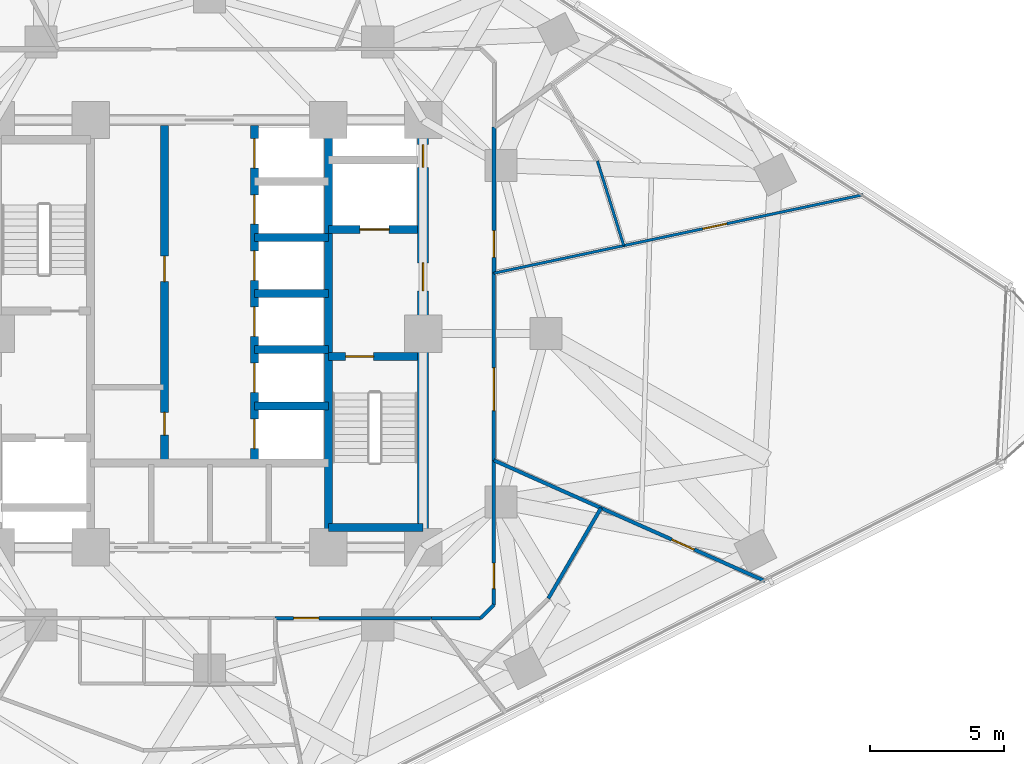
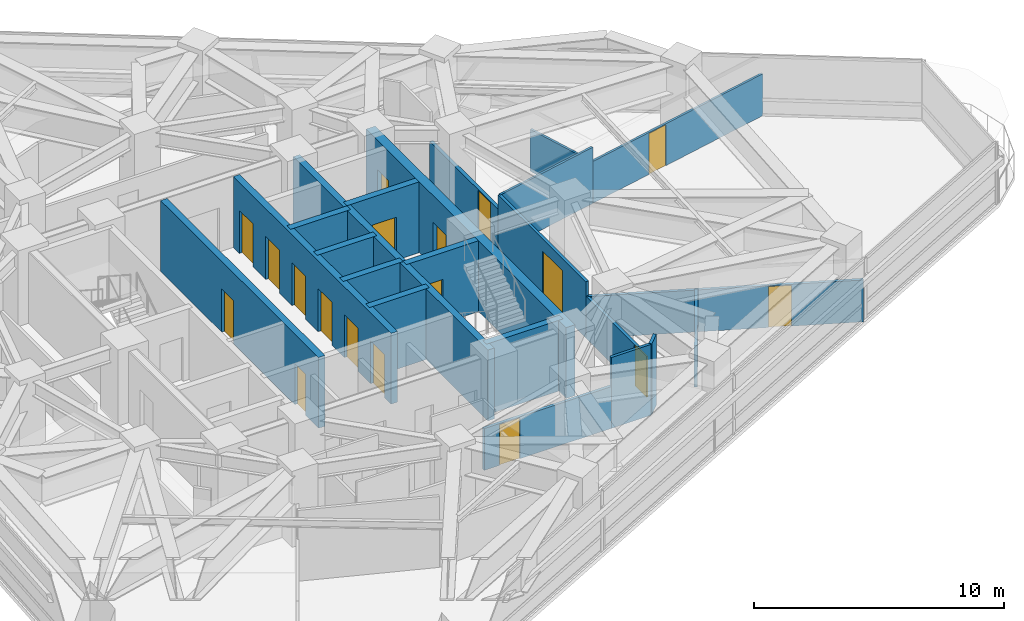
# One storey, part 10 of 15: 23 walls, 18 doors, 18 openings.
"""IFC4 building model written with IfcOpenShell, lengths in metres."""

from ifc_helpers import new_model, si_unit, direction, frame, frame_2d, origin, place, context, subcontext, project, spatial, rectangle, extrude, material, layer, layer_set, type_object, element, fill, save


model = new_model("IFC4")

# Units and contexts
model_context = context("Model", 3, precision=1e-05, world=origin(), true_north=direction((0.0, 1.0)))
body_context = subcontext(model_context, "Body", "Model", "MODEL_VIEW")
ifc_project = project(units=[si_unit("LENGTHUNIT", "METRE"), si_unit("AREAUNIT", "SQUARE_METRE"), si_unit("VOLUMEUNIT", "CUBIC_METRE"), si_unit("PLANEANGLEUNIT", "RADIAN"), si_unit("MASSUNIT", "GRAM", prefix="KILO")], contexts=[model_context])

# Site, building, storey
site_placement = place(None, origin())
site = spatial("IfcSite", under=ifc_project, at=site_placement, CompositionType="ELEMENT")
building_placement = place(site_placement, origin())
building = spatial("IfcBuilding", under=site, at=building_placement, Name="Terralouvre Media Tower", CompositionType="ELEMENT")
storey_placement = place(building_placement, frame((0.0, 0.0, 145.800048828125)))
storey = spatial("IfcBuildingStorey", under=building, at=storey_placement, Name="L37", CompositionType="ELEMENT", Elevation=145.800048828125)

# Wall
ifc_material_1 = material(Name="Concrete C50/60", Category="concrete")
ifc_layer_1 = layer(ifc_material_1, 0.300048828125, Name="Core Internal Shaft Wall CW-300")
ifc_layer_set_1 = layer_set([ifc_layer_1], Name="Concrete C50/60")
wall_type_1 = type_object("IfcWallType", Name="Core Internal Shaft Wall CW-300", PredefinedType="SHEAR", material=ifc_layer_set_1)
wall_1_placement = place(storey_placement, frame((4.449951171875, -7.7900390625, 0.0), z_axis=(0.0, 0.0, 1.0), x_axis=(0.0, 1.0, 0.0)))
element("IfcWall", 1, at=wall_1_placement, inside=storey, type_object=wall_type_1, Name="L37 Core Shaft Wall SPE", PredefinedType="SHEAR", context=body_context, shape_type="SweptSolid", body=[
    extrude(rectangle(XDim=15.580078125, YDim=0.300048828125, at=frame_2d((7.7900390625, 0.0))), origin(), (0.0, 0.0, 1.0), 3.4599609375),
])

# Wall, opening, door
wall_2_placement = place(storey_placement, frame((4.449951171875, -0.85009765625, 0.0), z_axis=(0.0, 0.0, 1.0), x_axis=(1.0, 0.0, 0.0)))
wall_2 = element("IfcWall", 2, at=wall_2_placement, inside=storey, type_object=wall_type_1, Name="L37 Core Shaft Wall ST2D", PredefinedType="SHEAR", context=body_context, shape_type="SweptSolid", body=[
    extrude(rectangle(XDim=3.340087890625, YDim=0.300048828125, at=frame_2d((1.669921875, 0.0))), origin(), (0.0, 0.0, 1.0), 3.4599609375),
])
opening_1_placement = place(wall_2_placement, frame((0.64990234375, 0.0, 0.0)))
opening_1 = element("IfcOpeningElement", 3, at=opening_1_placement, cuts=wall_2, Name="Opening FD-01-105X215", PredefinedType="OPENING", context=body_context, shape_type="SweptSolid", body=[
    extrude(rectangle(XDim=1.050048828125, YDim=2.14990234375, at=frame_2d((0.52490234375, 1.074951171875))), frame((0.0, 0.159912109375, 0.0), z_axis=(0.0, -1.0, 0.0), x_axis=(1.0, 0.0, 0.0)), (0.0, 0.0, 1.0), 0.320068359375),
])
ifc_material_2 = material(Name="Galvanised steel fire-resisting leaf", Category="steel")
door_type_1 = type_object("IfcDoorType", Name="Stair and Firefighting Lobby Fire Door FD-01 (1050x2150)", OperationType="NOTDEFINED", PredefinedType="DOOR", material=ifc_material_2)
door_1_placement = place(opening_1_placement, origin())
door_1 = element("IfcDoor", 4, at=door_1_placement, inside=storey, type_object=door_type_1, Name="L37 ST-02 Exit Stair Door", OperationType="SINGLE_SWING_RIGHT", OverallHeight=2.14990234375, OverallWidth=1.050048828125, PredefinedType="DOOR", context=body_context, shape_type="SweptSolid", body=[
    extrude(rectangle(XDim=1.050048828125, YDim=2.14990234375, at=frame_2d((0.52490234375, 1.074951171875))), frame((0.0, 0.02490234375, 0.0), z_axis=(0.0, -1.0, 0.0), x_axis=(1.0, 0.0, 0.0)), (0.0, 0.0, 1.0), 0.050048828125),
])
fill(opening_1, door_1)

# Wall
wall_3_placement = place(storey_placement, frame((4.449951171875, -7.260009765625, 0.0), z_axis=(0.0, 0.0, 1.0), x_axis=(1.0, 0.0, 0.0)))
element("IfcWall", 5, at=wall_3_placement, inside=storey, type_object=wall_type_1, Name="L37 Core Shaft Wall ST2F", PredefinedType="SHEAR", context=body_context, shape_type="SweptSolid", body=[
    extrude(rectangle(XDim=3.550048828125, YDim=0.300048828125, at=frame_2d((1.77490234375, 0.0))), origin(), (0.0, 0.0, 1.0), 3.4599609375),
])

# Wall, opening, door
wall_4_placement = place(storey_placement, frame((4.449951171875, 3.89990234375, 0.0), z_axis=(0.0, 0.0, 1.0), x_axis=(1.0, 0.0, 0.0)))
wall_4 = element("IfcWall", 6, at=wall_4_placement, inside=storey, type_object=wall_type_1, Name="L37 Core Shaft Wall FF2S", PredefinedType="SHEAR", context=body_context, shape_type="SweptSolid", body=[
    extrude(rectangle(XDim=3.340087890625, YDim=0.300048828125, at=frame_2d((1.669921875, 0.0))), origin(), (0.0, 0.0, 1.0), 3.4599609375),
])
opening_2_placement = place(wall_4_placement, frame((1.179931640625, 0.0, 0.0)))
opening_2 = element("IfcOpeningElement", 7, at=opening_2_placement, cuts=wall_4, Name="Opening LD-FF", PredefinedType="OPENING", context=body_context, shape_type="SweptSolid", body=[
    extrude(rectangle(XDim=1.10009765625, YDim=2.10009765625, at=frame_2d((0.550048828125, 1.050048828125))), frame((0.0, 0.159912109375, 0.0), z_axis=(0.0, -1.0, 0.0), x_axis=(1.0, 0.0, 0.0)), (0.0, 0.0, 1.0), 0.320068359375),
])
ifc_material_3 = material(Name="Stainless steel 316 handrail and balustrade", Category="steel")
door_type_2 = type_object("IfcDoorType", Name="Firefighting Lift Sliding Landing Door LD-FF", OperationType="SLIDING_TO_LEFT", PredefinedType="DOOR", material=ifc_material_3)
door_2_placement = place(opening_2_placement, origin())
door_2 = element("IfcDoor", 8, at=door_2_placement, inside=storey, type_object=door_type_2, Name="L37 Firefighting Lift FFL-02 Landing Door", OperationType="SLIDING_TO_LEFT", OverallHeight=2.10009765625, OverallWidth=1.10009765625, PredefinedType="DOOR", context=body_context, shape_type="SweptSolid", body=[
    extrude(rectangle(XDim=1.10009765625, YDim=2.10009765625, at=frame_2d((0.550048828125, 1.050048828125))), frame((0.0, 0.02490234375, 0.0), z_axis=(0.0, -1.0, 0.0), x_axis=(1.0, 0.0, 0.0)), (0.0, 0.0, 1.0), 0.050048828125),
])
fill(opening_2, door_2)

# Wall, openings, doors
wall_5_placement = place(storey_placement, frame((-1.679931640625, -4.85009765625, 0.0), z_axis=(0.0, 0.0, 1.0), x_axis=(0.0, 1.0, 0.0)))
wall_5 = element("IfcWall", 9, at=wall_5_placement, inside=storey, type_object=wall_type_1, Name="L37 Core Shaft Wall LBW", PredefinedType="SHEAR", context=body_context, shape_type="SweptSolid", body=[
    extrude(rectangle(XDim=12.64013671875, YDim=0.300048828125, at=frame_2d((6.320068359375, 0.0))), origin(), (0.0, 0.0, 1.0), 3.4599609375),
])
opening_3_placement = place(wall_5_placement, frame((1.050048828125, 0.0, 0.0)))
opening_3 = element("IfcOpeningElement", 10, at=opening_3_placement, cuts=wall_5, Name="Opening TD-R1", PredefinedType="OPENING", context=body_context, shape_type="SweptSolid", body=[
    extrude(rectangle(XDim=0.85009765625, YDim=2.02001953125, at=frame_2d((0.425048828125, 1.010009765625))), frame((0.0, 0.159912109375, 0.0), z_axis=(0.0, -1.0, 0.0), x_axis=(1.0, 0.0, 0.0)), (0.0, 0.0, 1.0), 0.320068359375),
])
opening_4_placement = place(wall_5_placement, frame((6.800048828125, 0.0, 0.0)))
opening_4 = element("IfcOpeningElement", 11, at=opening_4_placement, cuts=wall_5, Name="Opening FD-02-95X210", PredefinedType="OPENING", context=body_context, shape_type="SweptSolid", body=[
    extrude(rectangle(XDim=0.949951171875, YDim=2.10009765625, at=frame_2d((0.47509765625, 1.050048828125))), frame((0.0, 0.159912109375, 0.0), z_axis=(0.0, -1.0, 0.0), x_axis=(1.0, 0.0, 0.0)), (0.0, 0.0, 1.0), 0.320068359375),
])
ifc_material_4 = material(Name="Galvanised steel fire-resisting leaf", Category="steel")
door_type_3 = type_object("IfcDoorType", Name="Plant and Riser Fire Door FD-02 (950x2100)", OperationType="NOTDEFINED", PredefinedType="DOOR", material=ifc_material_4)
door_3_placement = place(opening_4_placement, origin())
door_3 = element("IfcDoor", 12, at=door_3_placement, inside=storey, type_object=door_type_3, Name="L37 Core Patch Rack Plant Door", OperationType="SINGLE_SWING_RIGHT", OverallHeight=2.10009765625, OverallWidth=0.949951171875, PredefinedType="DOOR", context=body_context, shape_type="SweptSolid", body=[
    extrude(rectangle(XDim=0.949951171875, YDim=2.10009765625, at=frame_2d((0.47509765625, 1.050048828125))), frame((0.0, 0.02490234375, 0.0), z_axis=(0.0, -1.0, 0.0), x_axis=(1.0, 0.0, 0.0)), (0.0, 0.0, 1.0), 0.050048828125),
])
fill(opening_4, door_3)
ifc_material_5 = material(Name="Galvanised steel fire-resisting leaf", Category="steel")
door_type_4 = type_object("IfcDoorType", Name="Riser Inspection Access Trapdoor TD-R1", OperationType="NOTDEFINED", PredefinedType="TRAPDOOR", material=ifc_material_5)
door_4_placement = place(opening_3_placement, origin())
door_4 = element("IfcDoor", 13, at=door_4_placement, inside=storey, type_object=door_type_4, Name="L37 Core Cleaners Store Door", OperationType="SINGLE_SWING_LEFT", OverallHeight=2.02001953125, OverallWidth=0.85009765625, PredefinedType="TRAPDOOR", context=body_context, shape_type="SweptSolid", body=[
    extrude(rectangle(XDim=0.85009765625, YDim=2.02001953125, at=frame_2d((0.425048828125, 1.010009765625))), frame((0.0, 0.02490234375, 0.0), z_axis=(0.0, -1.0, 0.0), x_axis=(1.0, 0.0, 0.0)), (0.0, 0.0, 1.0), 0.050048828125),
])
fill(opening_3, door_4)

wall_6_placement = place(storey_placement, frame((1.679931640625, -4.85009765625, 0.0), z_axis=(0.0, 0.0, 1.0), x_axis=(0.0, 1.0, 0.0)))
wall_6 = element("IfcWall", 14, at=wall_6_placement, inside=storey, type_object=wall_type_1, Name="L37 Core Shaft Wall LBE", PredefinedType="SHEAR", context=body_context, shape_type="SweptSolid", body=[
    extrude(rectangle(XDim=12.64013671875, YDim=0.300048828125, at=frame_2d((6.320068359375, 0.0))), origin(), (0.0, 0.0, 1.0), 3.4599609375),
])
opening_5_placement = place(wall_6_placement, frame((0.550048828125, 0.0, 0.0)))
opening_5 = element("IfcOpeningElement", 15, at=opening_5_placement, cuts=wall_6, Name="Opening LD-PL", PredefinedType="OPENING", context=body_context, shape_type="SweptSolid", body=[
    extrude(rectangle(XDim=1.10009765625, YDim=2.10009765625, at=frame_2d((0.550048828125, 1.050048828125))), frame((0.0, 0.159912109375, 0.0), z_axis=(0.0, -1.0, 0.0), x_axis=(1.0, 0.0, 0.0)), (0.0, 0.0, 1.0), 0.320068359375),
])
opening_6_placement = place(wall_6_placement, frame((2.64990234375, 0.0, 0.0)))
opening_6 = element("IfcOpeningElement", 16, at=opening_6_placement, cuts=wall_6, Name="Opening LD-PL", PredefinedType="OPENING", context=body_context, shape_type="SweptSolid", body=[
    extrude(rectangle(XDim=1.10009765625, YDim=2.10009765625, at=frame_2d((0.550048828125, 1.050048828125))), frame((0.0, 0.159912109375, 0.0), z_axis=(0.0, -1.0, 0.0), x_axis=(1.0, 0.0, 0.0)), (0.0, 0.0, 1.0), 0.320068359375),
])
opening_7_placement = place(wall_6_placement, frame((4.75, 0.0, 0.0)))
opening_7 = element("IfcOpeningElement", 17, at=opening_7_placement, cuts=wall_6, Name="Opening LD-PL", PredefinedType="OPENING", context=body_context, shape_type="SweptSolid", body=[
    extrude(rectangle(XDim=1.10009765625, YDim=2.10009765625, at=frame_2d((0.550048828125, 1.050048828125))), frame((0.0, 0.159912109375, 0.0), z_axis=(0.0, -1.0, 0.0), x_axis=(1.0, 0.0, 0.0)), (0.0, 0.0, 1.0), 0.320068359375),
])
opening_8_placement = place(wall_6_placement, frame((6.85009765625, 0.0, 0.0)))
opening_8 = element("IfcOpeningElement", 18, at=opening_8_placement, cuts=wall_6, Name="Opening LD-PL", PredefinedType="OPENING", context=body_context, shape_type="SweptSolid", body=[
    extrude(rectangle(XDim=1.10009765625, YDim=2.10009765625, at=frame_2d((0.550048828125, 1.050048828125))), frame((0.0, 0.159912109375, 0.0), z_axis=(0.0, -1.0, 0.0), x_axis=(1.0, 0.0, 0.0)), (0.0, 0.0, 1.0), 0.320068359375),
])
opening_9_placement = place(wall_6_placement, frame((8.949951171875, 0.0, 0.0)))
opening_9 = element("IfcOpeningElement", 19, at=opening_9_placement, cuts=wall_6, Name="Opening LD-PL", PredefinedType="OPENING", context=body_context, shape_type="SweptSolid", body=[
    extrude(rectangle(XDim=1.10009765625, YDim=2.10009765625, at=frame_2d((0.550048828125, 1.050048828125))), frame((0.0, 0.159912109375, 0.0), z_axis=(0.0, -1.0, 0.0), x_axis=(1.0, 0.0, 0.0)), (0.0, 0.0, 1.0), 0.320068359375),
])
opening_10_placement = place(wall_6_placement, frame((11.050048828125, 0.0, 0.0)))
opening_10 = element("IfcOpeningElement", 20, at=opening_10_placement, cuts=wall_6, Name="Opening LD-PL", PredefinedType="OPENING", context=body_context, shape_type="SweptSolid", body=[
    extrude(rectangle(XDim=1.10009765625, YDim=2.10009765625, at=frame_2d((0.550048828125, 1.050048828125))), frame((0.0, 0.159912109375, 0.0), z_axis=(0.0, -1.0, 0.0), x_axis=(1.0, 0.0, 0.0)), (0.0, 0.0, 1.0), 0.320068359375),
])
ifc_material_6 = material(Name="Stainless steel 316 handrail and balustrade", Category="steel")
door_type_5 = type_object("IfcDoorType", Name="Passenger Lift Sliding Landing Door LD-PL", OperationType="SLIDING_TO_LEFT", PredefinedType="DOOR", material=ifc_material_6)
door_5_placement = place(opening_5_placement, origin())
door_5 = element("IfcDoor", 21, at=door_5_placement, inside=storey, type_object=door_type_5, Name="L37 High-Rise Lift PL-H1 Landing Door", OperationType="SLIDING_TO_LEFT", OverallHeight=2.10009765625, OverallWidth=1.10009765625, PredefinedType="DOOR", context=body_context, shape_type="SweptSolid", body=[
    extrude(rectangle(XDim=1.10009765625, YDim=2.10009765625, at=frame_2d((0.550048828125, 1.050048828125))), frame((0.0, 0.02490234375, 0.0), z_axis=(0.0, -1.0, 0.0), x_axis=(1.0, 0.0, 0.0)), (0.0, 0.0, 1.0), 0.050048828125),
])
fill(opening_5, door_5)
door_6_placement = place(opening_6_placement, origin())
door_6 = element("IfcDoor", 22, at=door_6_placement, inside=storey, type_object=door_type_5, Name="L37 High-Rise Lift PL-H2 Landing Door", OperationType="SLIDING_TO_LEFT", OverallHeight=2.10009765625, OverallWidth=1.10009765625, PredefinedType="DOOR", context=body_context, shape_type="SweptSolid", body=[
    extrude(rectangle(XDim=1.10009765625, YDim=2.10009765625, at=frame_2d((0.550048828125, 1.050048828125))), frame((0.0, 0.02490234375, 0.0), z_axis=(0.0, -1.0, 0.0), x_axis=(1.0, 0.0, 0.0)), (0.0, 0.0, 1.0), 0.050048828125),
])
fill(opening_6, door_6)
door_7_placement = place(opening_7_placement, origin())
door_7 = element("IfcDoor", 23, at=door_7_placement, inside=storey, type_object=door_type_5, Name="L37 High-Rise Lift PL-H3 Landing Door", OperationType="SLIDING_TO_LEFT", OverallHeight=2.10009765625, OverallWidth=1.10009765625, PredefinedType="DOOR", context=body_context, shape_type="SweptSolid", body=[
    extrude(rectangle(XDim=1.10009765625, YDim=2.10009765625, at=frame_2d((0.550048828125, 1.050048828125))), frame((0.0, 0.02490234375, 0.0), z_axis=(0.0, -1.0, 0.0), x_axis=(1.0, 0.0, 0.0)), (0.0, 0.0, 1.0), 0.050048828125),
])
fill(opening_7, door_7)
door_8_placement = place(opening_8_placement, origin())
door_8 = element("IfcDoor", 24, at=door_8_placement, inside=storey, type_object=door_type_5, Name="L37 Mid-Rise Lift PL-M1 Landing Door", OperationType="SLIDING_TO_LEFT", OverallHeight=2.10009765625, OverallWidth=1.10009765625, PredefinedType="DOOR", context=body_context, shape_type="SweptSolid", body=[
    extrude(rectangle(XDim=1.10009765625, YDim=2.10009765625, at=frame_2d((0.550048828125, 1.050048828125))), frame((0.0, 0.02490234375, 0.0), z_axis=(0.0, -1.0, 0.0), x_axis=(1.0, 0.0, 0.0)), (0.0, 0.0, 1.0), 0.050048828125),
])
fill(opening_8, door_8)
door_9_placement = place(opening_9_placement, origin())
door_9 = element("IfcDoor", 25, at=door_9_placement, inside=storey, type_object=door_type_5, Name="L37 Mid-Rise Lift PL-M2 Landing Door", OperationType="SLIDING_TO_LEFT", OverallHeight=2.10009765625, OverallWidth=1.10009765625, PredefinedType="DOOR", context=body_context, shape_type="SweptSolid", body=[
    extrude(rectangle(XDim=1.10009765625, YDim=2.10009765625, at=frame_2d((0.550048828125, 1.050048828125))), frame((0.0, 0.02490234375, 0.0), z_axis=(0.0, -1.0, 0.0), x_axis=(1.0, 0.0, 0.0)), (0.0, 0.0, 1.0), 0.050048828125),
])
fill(opening_9, door_9)
door_10_placement = place(opening_10_placement, origin())
door_10 = element("IfcDoor", 26, at=door_10_placement, inside=storey, type_object=door_type_5, Name="L37 Mid-Rise Lift PL-M3 Landing Door", OperationType="SLIDING_TO_LEFT", OverallHeight=2.10009765625, OverallWidth=1.10009765625, PredefinedType="DOOR", context=body_context, shape_type="SweptSolid", body=[
    extrude(rectangle(XDim=1.10009765625, YDim=2.10009765625, at=frame_2d((0.550048828125, 1.050048828125))), frame((0.0, 0.02490234375, 0.0), z_axis=(0.0, -1.0, 0.0), x_axis=(1.0, 0.0, 0.0)), (0.0, 0.0, 1.0), 0.050048828125),
])
fill(opening_10, door_10)

# Walls
for number, where, z_axis, x_axis, name in (
    (27, (1.679931640625, 1.5, 0.0), (0.0, 0.0, 1.0), (1.0, 0.0, 0.0), "L37 Core Shaft Wall PLMD0"),
    (28, (1.679931640625, 3.60009765625, 0.0), (0.0, 0.0, 1.0), (1.0, 0.0, 0.0), "L37 Core Shaft Wall PLMD1"),
    (29, (1.679931640625, -2.699951171875, 0.0), (0.0, 0.0, 1.0), (1.0, 0.0, 0.0), "L37 Core Shaft Wall PLHD1"),
    (30, (1.679931640625, -0.60009765625, 0.0), (0.0, 0.0, 1.0), (1.0, 0.0, 0.0), "L37 Core Shaft Wall PLHD2"),
):
    element("IfcWall", number, at=place(storey_placement, frame(where, z_axis=z_axis, x_axis=x_axis)), inside=storey, type_object=wall_type_1, Name=name, PredefinedType="SHEAR", context=body_context, shape_type="SweptSolid", body=[
        extrude(rectangle(XDim=2.77001953125, YDim=0.300048828125, at=frame_2d((1.385009765625, 0.0))), origin(), (0.0, 0.0, 1.0), 3.4599609375),
    ])

# Wall, openings, doors
ifc_material_7 = material(Name="Concrete C60/75", Category="concrete")
ifc_layer_2 = layer(ifc_material_7, 0.419921875, Name="Core Reinforced Concrete Shear Wall CW-420")
ifc_layer_set_2 = layer_set([ifc_layer_2], Name="Concrete C60/75")
wall_type_2 = type_object("IfcWallType", Name="Core Reinforced Concrete Shear Wall CW-420", PredefinedType="SHEAR", material=ifc_layer_set_2)
wall_7_placement = place(storey_placement, frame((8.0, -8.0, 0.0), z_axis=(0.0, 0.0, 1.0), x_axis=(0.0, 1.0, 0.0)))
wall_7 = element("IfcWall", 31, at=wall_7_placement, inside=storey, type_object=wall_type_2, Name="L37 E Core Shear Wall", PredefinedType="SHEAR", context=body_context, shape_type="SweptSolid", body=[
    extrude(rectangle(XDim=16.0, YDim=0.419921875, at=frame_2d((8.0, 0.0))), origin(), (0.0, 0.0, 1.0), 3.4599609375),
])
opening_11_placement = place(wall_7_placement, frame((9.60009765625, 0.0, 0.0)))
opening_11 = element("IfcOpeningElement", 32, at=opening_11_placement, cuts=wall_7, Name="Opening FD-01-105X215", PredefinedType="OPENING", context=body_context, shape_type="SweptSolid", body=[
    extrude(rectangle(XDim=1.050048828125, YDim=2.14990234375, at=frame_2d((0.52490234375, 1.074951171875))), frame((0.0, 0.219970703125, 0.0), z_axis=(0.0, -1.0, 0.0), x_axis=(1.0, 0.0, 0.0)), (0.0, 0.0, 1.0), 0.43994140625),
])
opening_12_placement = place(wall_7_placement, frame((14.228515625, 0.0, 0.0)))
opening_12 = element("IfcOpeningElement", 33, at=opening_12_placement, cuts=wall_7, Name="Opening TD-R1", PredefinedType="OPENING", context=body_context, shape_type="SweptSolid", body=[
    extrude(rectangle(XDim=0.85009765625, YDim=2.02001953125, at=frame_2d((0.425048828125, 1.010009765625))), frame((0.0, 0.219970703125, 0.0), z_axis=(0.0, -1.0, 0.0), x_axis=(1.0, 0.0, 0.0)), (0.0, 0.0, 1.0), 0.43994140625),
])
door_11_placement = place(opening_12_placement, origin())
door_11 = element("IfcDoor", 34, at=door_11_placement, inside=storey, type_object=door_type_4, Name="L37 East Comms Riser Access Trapdoor", OperationType="SINGLE_SWING_RIGHT", OverallHeight=2.02001953125, OverallWidth=0.85009765625, PredefinedType="TRAPDOOR", context=body_context, shape_type="SweptSolid", body=[
    extrude(rectangle(XDim=0.85009765625, YDim=2.02001953125, at=frame_2d((0.425048828125, 1.010009765625))), frame((0.0, 0.02490234375, 0.0), z_axis=(0.0, -1.0, 0.0), x_axis=(1.0, 0.0, 0.0)), (0.0, 0.0, 1.0), 0.050048828125),
])
fill(opening_12, door_11)
door_12_placement = place(opening_11_placement, origin())
door_12 = element("IfcDoor", 35, at=door_12_placement, inside=storey, type_object=door_type_1, Name="L37 East Firefighting Lobby Entry Door", OperationType="SINGLE_SWING_LEFT", OverallHeight=2.14990234375, OverallWidth=1.050048828125, PredefinedType="DOOR", context=body_context, shape_type="SweptSolid", body=[
    extrude(rectangle(XDim=1.050048828125, YDim=2.14990234375, at=frame_2d((0.52490234375, 1.074951171875))), frame((0.0, 0.02490234375, 0.0), z_axis=(0.0, -1.0, 0.0), x_axis=(1.0, 0.0, 0.0)), (0.0, 0.0, 1.0), 0.050048828125),
])
fill(opening_11, door_12)

# Wall, opening, door
ifc_material_8 = material(Name="Low-iron laminated double glazing with solar-control coating", Category="glass")
ifc_layer_3 = layer(ifc_material_8, 0.10009765625, Name="Demountable Glazed Office Partition PT-GL100")
ifc_layer_set_3 = layer_set([ifc_layer_3], Name="Low-iron laminated double glazing with solar-control coating")
wall_type_3 = type_object("IfcWallType", Name="Demountable Glazed Office Partition PT-GL100", PredefinedType="MOVABLE", material=ifc_layer_set_3)
wall_8_placement = place(storey_placement, frame((24.4736328125, 5.201904296875, 0.0), z_axis=(0.0, 0.0, 1.0), x_axis=(-0.978158512366, -0.207860348999, 0.0)))
wall_8 = element("IfcWall", 36, at=wall_8_placement, inside=storey, type_object=wall_type_3, Name="L37 Interior Partition 044", PredefinedType="MOVABLE", context=body_context, shape_type="SweptSolid", body=[
    extrude(rectangle(XDim=9.163818359375, YDim=0.10009765625, at=frame_2d((4.58203125, 0.0))), origin(), (0.0, 0.0, 1.0), 2.044921875),
])
opening_13_placement = place(wall_8_placement, frame((5.221435546875, 0.0, 0.0)))
opening_13 = element("IfcOpeningElement", 37, at=opening_13_placement, cuts=wall_8, Name="Opening ID-03", PredefinedType="OPENING", context=body_context, shape_type="SweptSolid", body=[
    extrude(rectangle(XDim=0.919921875, YDim=2.0, at=frame_2d((0.4599609375, 1.0))), frame((0.0, 0.06005859375, 0.0), z_axis=(0.0, -1.0, 0.0), x_axis=(1.0, 0.0, 0.0)), (0.0, 0.0, 1.0), 0.1201171875),
])
ifc_material_9 = material(Name="Engineered hardwood acoustic timber leaf", Category="wood")
door_type_6 = type_object("IfcDoorType", Name="Accessible Restroom and Suite Door ID-03", OperationType="NOTDEFINED", PredefinedType="DOOR", material=ifc_material_9)
door_13_placement = place(opening_13_placement, origin())
door_13 = element("IfcDoor", 38, at=door_13_placement, inside=storey, type_object=door_type_6, Name="L37 Editorial Huddle Room 8 Door", OperationType="SINGLE_SWING_LEFT", OverallHeight=2.0, OverallWidth=0.919921875, PredefinedType="DOOR", context=body_context, shape_type="SweptSolid", body=[
    extrude(rectangle(XDim=0.919921875, YDim=2.0, at=frame_2d((0.4599609375, 1.0))), frame((0.0, 0.02490234375, 0.0), z_axis=(0.0, -1.0, 0.0), x_axis=(1.0, 0.0, 0.0)), (0.0, 0.0, 1.0), 0.050048828125),
])
fill(opening_13, door_13)

# Walls
wall_9_placement = place(storey_placement, frame((15.510009765625, 3.297119140625, 0.0), z_axis=(0.0, 0.0, 1.0), x_axis=(-0.97814123971, -0.207941614832, 0.0)))
element("IfcWall", 39, at=wall_9_placement, inside=storey, type_object=wall_type_3, Name="L37 Interior Partition 045", PredefinedType="MOVABLE", context=body_context, shape_type="SweptSolid", body=[
    extrude(rectangle(XDim=4.96875, YDim=0.10009765625, at=frame_2d((2.484375, 0.0))), origin(), (0.0, 0.0, 1.0), 2.744873046875),
])
wall_10_placement = place(storey_placement, frame((14.52490234375, 6.467041015625, 0.0), z_axis=(0.0, 0.0, 1.0), x_axis=(0.296767013694, -0.954949914699, 0.0)))
element("IfcWall", 40, at=wall_10_placement, inside=storey, type_object=wall_type_3, Name="L37 Interior Partition 047", PredefinedType="MOVABLE", context=body_context, shape_type="SweptSolid", body=[
    extrude(rectangle(XDim=3.319580078125, YDim=0.10009765625, at=frame_2d((1.65966796875, 0.0))), origin(), (0.0, 0.0, 1.0), 2.044921875),
])

# Wall, opening, door
ifc_material_10 = material(Name="Fire-rated gypsum board drywall partition")
ifc_layer_4 = layer(ifc_material_10, 0.135009765625, Name="Newsroom Acoustic Partition PT-135")
ifc_layer_set_4 = layer_set([ifc_layer_4], Name="Fire-rated gypsum board drywall partition")
wall_type_4 = type_object("IfcWallType", Name="Newsroom Acoustic Partition PT-135", PredefinedType="PARTITIONING", material=ifc_layer_set_4)
wall_11_placement = place(storey_placement, frame((2.449951171875, -10.64990234375, 0.0), z_axis=(0.0, 0.0, 1.0), x_axis=(1.0, 0.0, 0.0)))
wall_11 = element("IfcWall", 41, at=wall_11_placement, inside=storey, type_object=wall_type_4, Name="L37 Interior Partition 008", PredefinedType="PARTITIONING", context=body_context, shape_type="SweptSolid", body=[
    extrude(rectangle(XDim=5.87109375, YDim=0.135009765625, at=frame_2d((2.935546875, 0.0))), origin(), (0.0, 0.0, 1.0), 2.044921875),
])
opening_14_placement = place(wall_11_placement, frame((0.69921875, 0.0, 0.0)))
opening_14 = element("IfcOpeningElement", 42, at=opening_14_placement, cuts=wall_11, Name="Opening ID-02", PredefinedType="OPENING", context=body_context, shape_type="SweptSolid", body=[
    extrude(rectangle(XDim=0.949951171875, YDim=2.0, at=frame_2d((0.47509765625, 1.0))), frame((0.0, 0.077392578125, 0.0), z_axis=(0.0, -1.0, 0.0), x_axis=(1.0, 0.0, 0.0)), (0.0, 0.0, 1.0), 0.155029296875),
])
ifc_material_11 = material(Name="Engineered hardwood acoustic timber leaf", Category="wood")
door_type_7 = type_object("IfcDoorType", Name="Office and Meeting Room Door ID-02", OperationType="NOTDEFINED", PredefinedType="DOOR", material=ifc_material_11)
door_14_placement = place(opening_14_placement, origin())
door_14 = element("IfcDoor", 43, at=door_14_placement, inside=storey, type_object=door_type_7, Name="L37 Breaking Desk Editorial Office 4 Door", OperationType="SINGLE_SWING_RIGHT", OverallHeight=2.0, OverallWidth=0.949951171875, PredefinedType="DOOR", context=body_context, shape_type="SweptSolid", body=[
    extrude(rectangle(XDim=0.949951171875, YDim=2.0, at=frame_2d((0.47509765625, 1.0))), frame((0.0, 0.02490234375, 0.0), z_axis=(0.0, -1.0, 0.0), x_axis=(1.0, 0.0, 0.0)), (0.0, 0.0, 1.0), 0.050048828125),
])
fill(opening_14, door_14)

# Walls
wall_12_placement = place(storey_placement, frame((8.321044921875, -10.64990234375, 0.0), z_axis=(0.0, 0.0, 1.0), x_axis=(1.0, 0.0, 0.0)))
element("IfcWall", 44, at=wall_12_placement, inside=storey, type_object=wall_type_4, Name="L37 Interior Partition 009", PredefinedType="PARTITIONING", context=body_context, shape_type="SweptSolid", body=[
    extrude(rectangle(XDim=1.828857421875, YDim=0.135009765625, at=frame_2d((0.91455078125, 0.0))), origin(), (0.0, 0.0, 1.0), 3.4599609375),
])
wall_13_placement = place(storey_placement, frame((10.14990234375, -10.64990234375, 0.0), z_axis=(0.0, 0.0, 1.0), x_axis=(0.707106781187, 0.707106781187, 0.0)))
element("IfcWall", 45, at=wall_13_placement, inside=storey, type_object=wall_type_4, Name="L37 Interior Partition 010", PredefinedType="PARTITIONING", context=body_context, shape_type="SweptSolid", body=[
    extrude(rectangle(XDim=0.70703125, YDim=0.135009765625, at=frame_2d((0.353515625, 0.0))), origin(), (0.0, 0.0, 1.0), 3.4599609375),
])

# Wall, opening, door
wall_14_placement = place(storey_placement, frame((10.64990234375, -10.14990234375, 0.0), z_axis=(0.0, 0.0, 1.0), x_axis=(0.0, 1.0, 0.0)))
wall_14 = element("IfcWall", 46, at=wall_14_placement, inside=storey, type_object=wall_type_4, Name="L37 Interior Partition 011", PredefinedType="PARTITIONING", context=body_context, shape_type="SweptSolid", body=[
    extrude(rectangle(XDim=5.407958984375, YDim=0.135009765625, at=frame_2d((2.7041015625, 0.0))), origin(), (0.0, 0.0, 1.0), 2.044921875),
])
opening_15_placement = place(wall_14_placement, frame((0.606689453125, 0.0, 0.0)))
opening_15 = element("IfcOpeningElement", 47, at=opening_15_placement, cuts=wall_14, Name="Opening ID-02", PredefinedType="OPENING", context=body_context, shape_type="SweptSolid", body=[
    extrude(rectangle(XDim=0.949951171875, YDim=2.0, at=frame_2d((0.47509765625, 1.0))), frame((0.0, 0.077392578125, 0.0), z_axis=(0.0, -1.0, 0.0), x_axis=(1.0, 0.0, 0.0)), (0.0, 0.0, 1.0), 0.155029296875),
])
door_15_placement = place(opening_15_placement, origin())
door_15 = element("IfcDoor", 48, at=door_15_placement, inside=storey, type_object=door_type_7, Name="L37 Assignment Editors Workspace 5 Door", OperationType="SINGLE_SWING_LEFT", OverallHeight=2.0, OverallWidth=0.949951171875, PredefinedType="DOOR", context=body_context, shape_type="SweptSolid", body=[
    extrude(rectangle(XDim=0.949951171875, YDim=2.0, at=frame_2d((0.47509765625, 1.0))), frame((0.0, 0.02490234375, 0.0), z_axis=(0.0, -1.0, 0.0), x_axis=(1.0, 0.0, 0.0)), (0.0, 0.0, 1.0), 0.050048828125),
])
fill(opening_15, door_15)

wall_15_placement = place(storey_placement, frame((10.64990234375, -4.741943359375, 0.0), z_axis=(0.0, 0.0, 1.0), x_axis=(0.0, 1.0, 0.0)))
wall_15 = element("IfcWall", 49, at=wall_15_placement, inside=storey, type_object=wall_type_4, Name="L37 Interior Partition 012", PredefinedType="PARTITIONING", context=body_context, shape_type="SweptSolid", body=[
    extrude(rectangle(XDim=7.005859375, YDim=0.135009765625, at=frame_2d((3.5029296875, 0.0))), origin(), (0.0, 0.0, 1.0), 2.744873046875),
])
opening_16_placement = place(wall_15_placement, frame((1.8623046875, 0.0, 0.0)))
opening_16 = element("IfcOpeningElement", 50, at=opening_16_placement, cuts=wall_15, Name="Opening ID-04-160X215", PredefinedType="OPENING", context=body_context, shape_type="SweptSolid", body=[
    extrude(rectangle(XDim=1.60009765625, YDim=2.14990234375, at=frame_2d((0.800048828125, 1.074951171875))), frame((0.0, 0.077392578125, 0.0), z_axis=(0.0, -1.0, 0.0), x_axis=(1.0, 0.0, 0.0)), (0.0, 0.0, 1.0), 0.155029296875),
])
ifc_material_12 = material(Name="Engineered hardwood acoustic timber leaf", Category="wood")
door_type_8 = type_object("IfcDoorType", Name="Conference Double Acoustic Door ID-04 (1600x2150)", OperationType="DOUBLE_DOOR_SINGLE_SWING", PredefinedType="DOOR", material=ifc_material_12)
door_16_placement = place(opening_16_placement, origin())
door_16 = element("IfcDoor", 51, at=door_16_placement, inside=storey, type_object=door_type_8, Name="L37 Morning Rundown Briefing Room 7 Door", OperationType="DOUBLE_DOOR_SINGLE_SWING", OverallHeight=2.14990234375, OverallWidth=1.60009765625, PredefinedType="DOOR", context=body_context, shape_type="SweptSolid", body=[
    extrude(rectangle(XDim=1.60009765625, YDim=2.14990234375, at=frame_2d((0.800048828125, 1.074951171875))), frame((0.0, 0.02490234375, 0.0), z_axis=(0.0, -1.0, 0.0), x_axis=(1.0, 0.0, 0.0)), (0.0, 0.0, 1.0), 0.050048828125),
])
fill(opening_16, door_16)

# Walls
wall_16_placement = place(storey_placement, frame((12.68701171875, -9.912109375, 0.0), z_axis=(0.0, 0.0, 1.0), x_axis=(0.503735433439, 0.863857982019, 0.0)))
element("IfcWall", 52, at=wall_16_placement, inside=storey, type_object=wall_type_4, Name="L37 Interior Partition 041", PredefinedType="PARTITIONING", context=body_context, shape_type="SweptSolid", body=[
    extrude(rectangle(XDim=3.91845703125, YDim=0.135009765625, at=frame_2d((1.959228515625, 0.0))), origin(), (0.0, 0.0, 1.0), 2.044921875),
])
wall_17_placement = place(storey_placement, frame((14.660888671875, -6.527099609375, 0.0), z_axis=(0.0, 0.0, 1.0), x_axis=(-0.913600455061, 0.40661309437, 0.0)))
element("IfcWall", 53, at=wall_17_placement, inside=storey, type_object=wall_type_4, Name="L37 Interior Partition 042", PredefinedType="PARTITIONING", context=body_context, shape_type="SweptSolid", body=[
    extrude(rectangle(XDim=4.390380859375, YDim=0.135009765625, at=frame_2d((2.1953125, 0.0))), origin(), (0.0, 0.0, 1.0), 2.044921875),
])

# Wall, opening, door
wall_18_placement = place(storey_placement, frame((20.79638671875, -9.259765625, 0.0), z_axis=(0.0, 0.0, 1.0), x_axis=(-0.913491992788, 0.406856705872, 0.0)))
wall_18 = element("IfcWall", 54, at=wall_18_placement, inside=storey, type_object=wall_type_4, Name="L37 Interior Partition 043", PredefinedType="PARTITIONING", context=body_context, shape_type="SweptSolid", body=[
    extrude(rectangle(XDim=6.716552734375, YDim=0.135009765625, at=frame_2d((3.3583984375, 0.0))), origin(), (0.0, 0.0, 1.0), 2.044921875),
])
opening_17_placement = place(wall_18_placement, frame((2.898193359375, 0.0, 0.0)))
opening_17 = element("IfcOpeningElement", 55, at=opening_17_placement, cuts=wall_18, Name="Opening ID-03", PredefinedType="OPENING", context=body_context, shape_type="SweptSolid", body=[
    extrude(rectangle(XDim=0.919921875, YDim=2.0, at=frame_2d((0.4599609375, 1.0))), frame((0.0, 0.077392578125, 0.0), z_axis=(0.0, -1.0, 0.0), x_axis=(1.0, 0.0, 0.0)), (0.0, 0.0, 1.0), 0.155029296875),
])
door_17_placement = place(opening_17_placement, origin())
door_17 = element("IfcDoor", 56, at=door_17_placement, inside=storey, type_object=door_type_6, Name="L37 Foreign Copy Desk Office 6 Door", OperationType="SINGLE_SWING_RIGHT", OverallHeight=2.0, OverallWidth=0.919921875, PredefinedType="DOOR", context=body_context, shape_type="SweptSolid", body=[
    extrude(rectangle(XDim=0.919921875, YDim=2.0, at=frame_2d((0.4599609375, 1.0))), frame((0.0, 0.02490234375, 0.0), z_axis=(0.0, -1.0, 0.0), x_axis=(1.0, 0.0, 0.0)), (0.0, 0.0, 1.0), 0.050048828125),
])
fill(opening_17, door_17)

ifc_material_13 = material(Name="Fire-rated gypsum board drywall partition")
ifc_layer_5 = layer(ifc_material_13, 0.159912109375, Name="Studio Acoustic Rated Partition PT-160")
ifc_layer_set_5 = layer_set([ifc_layer_5], Name="Fire-rated gypsum board drywall partition")
wall_type_5 = type_object("IfcWallType", Name="Studio Acoustic Rated Partition PT-160", PredefinedType="PARTITIONING", material=ifc_layer_set_5)
wall_19_placement = place(storey_placement, frame((10.64990234375, 2.263916015625, 0.0), z_axis=(0.0, 0.0, 1.0), x_axis=(0.0, 1.0, 0.0)))
wall_19 = element("IfcWall", 57, at=wall_19_placement, inside=storey, type_object=wall_type_5, Name="L37 Interior Partition 013", PredefinedType="PARTITIONING", context=body_context, shape_type="SweptSolid", body=[
    extrude(rectangle(XDim=5.47412109375, YDim=0.159912109375, at=frame_2d((2.737060546875, 0.0))), origin(), (0.0, 0.0, 1.0), 2.044921875),
])
opening_18_placement = place(wall_19_placement, frame((0.5947265625, 0.0, 0.0)))
opening_18 = element("IfcOpeningElement", 58, at=opening_18_placement, cuts=wall_19, Name="Opening ID-01", PredefinedType="OPENING", context=body_context, shape_type="SweptSolid", body=[
    extrude(rectangle(XDim=1.0, YDim=2.0, at=frame_2d((0.5, 1.0))), frame((0.0, 0.08984375, 0.0), z_axis=(0.0, -1.0, 0.0), x_axis=(1.0, 0.0, 0.0)), (0.0, 0.0, 1.0), 0.179931640625),
])
ifc_material_14 = material(Name="Engineered hardwood acoustic timber leaf", Category="wood")
door_type_9 = type_object("IfcDoorType", Name="Broadcast Studio Acoustic Single Door ID-01", OperationType="NOTDEFINED", PredefinedType="DOOR", material=ifc_material_14)
door_18_placement = place(opening_18_placement, origin())
door_18 = element("IfcDoor", 59, at=door_18_placement, inside=storey, type_object=door_type_9, Name="L37 Live Feed Master Control Room 9 Door", OperationType="SINGLE_SWING_LEFT", OverallHeight=2.0, OverallWidth=1.0, PredefinedType="DOOR", context=body_context, shape_type="SweptSolid", body=[
    extrude(rectangle(XDim=1.0, YDim=2.0, at=frame_2d((0.5, 1.0))), frame((0.0, 0.02490234375, 0.0), z_axis=(0.0, -1.0, 0.0), x_axis=(1.0, 0.0, 0.0)), (0.0, 0.0, 1.0), 0.050048828125),
])
fill(opening_18, door_18)

save(model, "model.ifc")
